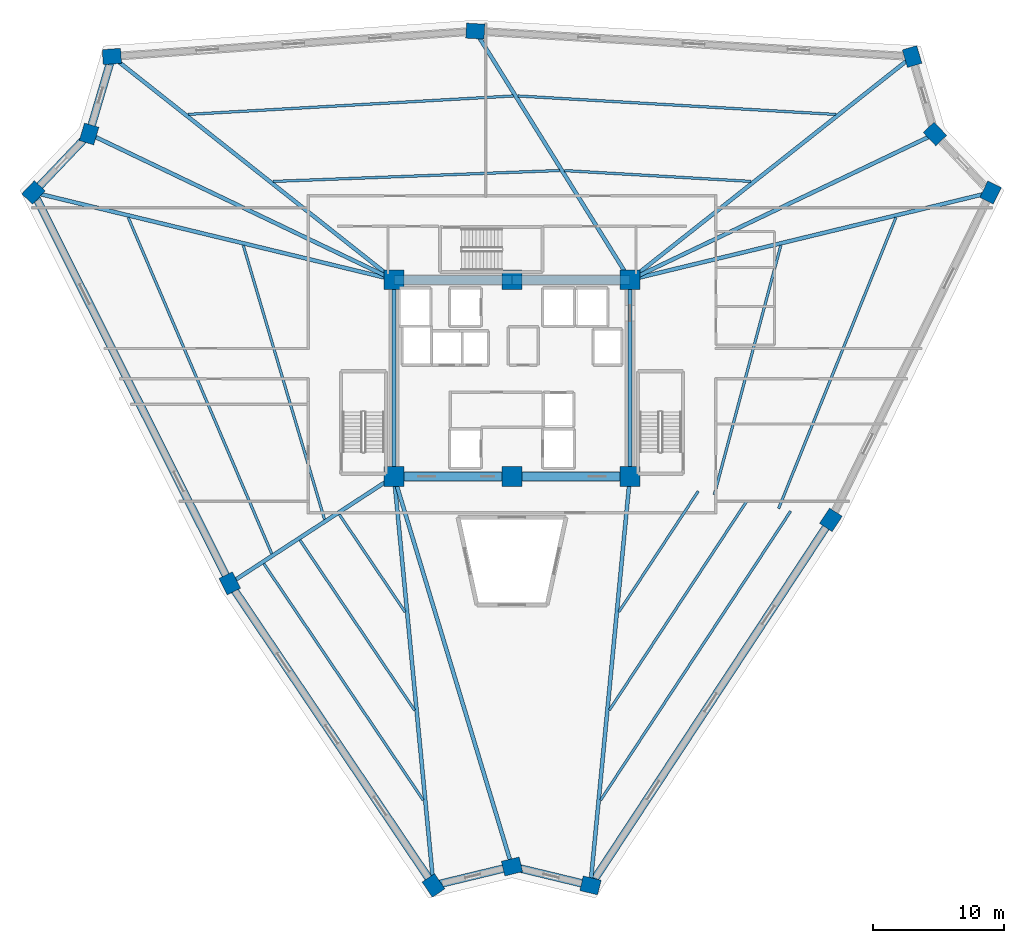
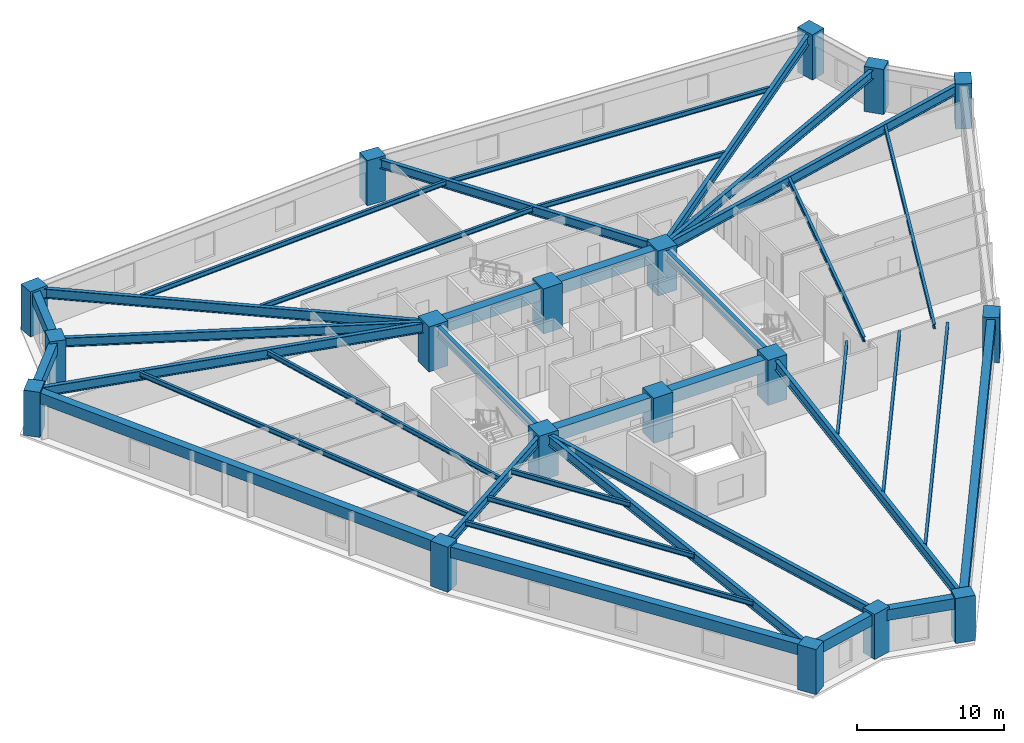
# One storey, part 1 of 7: 38 beams, 18 columns.
"""IFC4 building model written with IfcOpenShell, lengths in metres."""

from ifc_helpers import new_model, si_unit, direction, frame, origin, origin_2d, place, context, subcontext, project, spatial, rectangle, i_section, extrude, source, transform, mapped, material, material_profile, profile_set, type_object, element, save


model = new_model("IFC4")

# Units and contexts
model_context = context("Model", 3, precision=1e-05, world=origin(), true_north=direction((0.0, 1.0)))
body_context = subcontext(model_context, "Body", "Model", "MODEL_VIEW")
ifc_project = project(units=[si_unit("LENGTHUNIT", "METRE"), si_unit("AREAUNIT", "SQUARE_METRE"), si_unit("VOLUMEUNIT", "CUBIC_METRE"), si_unit("PLANEANGLEUNIT", "RADIAN"), si_unit("MASSUNIT", "GRAM", prefix="KILO")], contexts=[model_context])

# Site, building, storey
site_placement = place(None, origin())
site = spatial("IfcSite", under=ifc_project, at=site_placement, CompositionType="ELEMENT")
building_placement = place(site_placement, origin())
building = spatial("IfcBuilding", under=site, at=building_placement, Name="Liaohun Quay Tower", CompositionType="ELEMENT")
storey_placement = place(building_placement, frame((0.0, 0.0, 113.25)))
storey = spatial("IfcBuildingStorey", under=building, at=storey_placement, Name="L29", CompositionType="ELEMENT", Elevation=113.25)

# Columns
ifc_material_1 = material(Name="Concrete C60", Category="concrete")
ifc_material_profile_1 = material_profile(ifc_material_1, rectangle(XDim=1.5, YDim=1.5, at=origin_2d()), Name="RC1500x1500")
ifc_profile_set_1 = profile_set([ifc_material_profile_1], Name="Concrete C60")
column_type_1 = type_object("IfcColumnType", Name="COL-CC-Z2", PredefinedType="COLUMN", material=ifc_profile_set_1)
shared_shape_1 = source(origin(), body_context, "Body", "SweptSolid", [
    extrude(rectangle(XDim=1.5, YDim=1.5, at=origin_2d()), origin(), (0.0, 0.0, 1.0), 3.75),
])
for number, where, z_axis, x_axis, name in (
    (1, (51.0, 46.5, 0.0), (0.0, 0.0, 1.0), (1.0, 0.0, 0.0), "L29 Core Column CC1"),
    (2, (60.0, 46.5, 0.0), (0.0, 0.0, 1.0), (1.0, 0.0, 0.0), "L29 Core Column CC2"),
    (3, (69.0, 46.5, 0.0), (0.0, 0.0, 1.0), (1.0, 0.0, 0.0), "L29 Core Column CC3"),
    (4, (69.0, 61.5, 0.0), (0.0, 0.0, 1.0), (1.0, 0.0, 0.0), "L29 Core Column CC4"),
    (5, (60.0, 61.5, 0.0), (0.0, 0.0, 1.0), (1.0, 0.0, 0.0), "L29 Core Column CC5"),
    (6, (51.0, 61.5, 0.0), (0.0, 0.0, 1.0), (1.0, 0.0, 0.0), "L29 Core Column CC6"),
):
    element("IfcColumn", number, at=place(storey_placement, frame(where, z_axis=z_axis, x_axis=x_axis)), inside=storey, type_object=column_type_1, Name=name, PredefinedType="COLUMN", context=body_context, shape_type="MappedRepresentation", body=[
        mapped(shared_shape_1, transform((0.0, 0.0, 0.0), x_axis=(1.0, 0.0, 0.0), y_axis=(0.0, 1.0, 0.0), z_axis=(0.0, 0.0, 1.0), scale=1.0)),
    ])
ifc_material_profile_2 = material_profile(ifc_material_1, rectangle(XDim=1.39990234375, YDim=1.14990234375, at=origin_2d()), Name="RC1400x1150")
ifc_profile_set_2 = profile_set([ifc_material_profile_2], Name="Concrete C60")
column_type_2 = type_object("IfcColumnType", Name="COL-PIER-Z2", PredefinedType="COLUMN", material=ifc_profile_set_2)
shared_shape_2 = source(origin(), body_context, "Body", "SweptSolid", [
    extrude(rectangle(XDim=1.39990234375, YDim=1.14990234375, at=origin_2d()), origin(), (0.0, 0.0, 1.0), 3.75),
])
for number, where, z_axis, x_axis, name in (
    (7, (54.008056640625, 15.2919921875, 0.0), (0.0, 0.0, 1.0), (-0.559048200602, 0.829135157501, 0.0), "L29 Perimeter Pier PC01"),
    (8, (38.471923828125, 38.3369140625, 0.0), (0.0, 0.0, 1.0), (-0.448851168881, 0.893606528733, 0.0), "L29 Perimeter Pier PC02"),
    (9, (23.487060546875, 68.169921875, 0.0), (0.0, 0.0, 1.0), (0.68936671806, 0.724412539946, 0.0), "L29 Perimeter Pier PC03"),
    (10, (27.73095703125, 72.631103515625, 0.0), (0.0, 0.0, 1.0), (0.282676303383, 0.959215360337, 0.0), "L29 Perimeter Pier PC04"),
    (11, (29.472900390625, 78.54296875, 0.0), (0.0, 0.0, 1.0), (0.997576209867, 0.069582364911, 0.0), "L29 Perimeter Pier PC05"),
    (12, (57.198974609375, 80.47509765625, 0.0), (0.0, 0.0, 1.0), (-0.998311539311, 0.058086749598, 0.0), "L29 Perimeter Pier PC06"),
    (13, (90.529052734375, 78.535888671875, 0.0), (0.0, 0.0, 1.0), (-0.282676303383, 0.959215360337, 0.0), "L29 Perimeter Pier PC07"),
    (14, (92.26904296875, 72.631103515625, 0.0), (0.0, 0.0, 1.0), (-0.68936671806, 0.724412539946, 0.0), "L29 Perimeter Pier PC08"),
    (15, (96.51806640625, 68.1650390625, 0.0), (0.0, 0.0, 1.0), (0.438528009266, 0.898717522412, 0.0), "L29 Perimeter Pier PC09"),
    (16, (84.3291015625, 43.18798828125, 0.0), (0.0, 0.0, 1.0), (0.54946037043, 0.835519779135, 0.0), "L29 Perimeter Pier PC10"),
    (17, (65.985107421875, 15.2939453125, 0.0), (0.0, 0.0, 1.0), (-0.972083987461, 0.234633163303, 0.0), "L29 Perimeter Pier PC11"),
    (18, (60.0, 16.738037109375, 0.0), (0.0, 0.0, 1.0), (0.972083987461, 0.234633163303, 0.0), "L29 Perimeter Pier PC12"),
):
    element("IfcColumn", number, at=place(storey_placement, frame(where, z_axis=z_axis, x_axis=x_axis)), inside=storey, type_object=column_type_2, Name=name, PredefinedType="COLUMN", context=body_context, shape_type="MappedRepresentation", body=[
        mapped(shared_shape_2, transform((0.0, 0.0, 0.0), x_axis=(1.0, 0.0, 0.0), y_axis=(0.0, 1.0, 0.0), z_axis=(0.0, 0.0, 1.0), scale=1.0)),
    ])

# Beams
ifc_material_profile_3 = material_profile(ifc_material_1, rectangle(XDim=0.699951171875, YDim=1.050048828125, at=origin_2d()), Name="RC700x1050")
ifc_profile_set_3 = profile_set([ifc_material_profile_3], Name="Concrete C60")
beam_type_1 = type_object("IfcBeamType", Name="BM-CPL-1", PredefinedType="LINTEL", material=ifc_profile_set_3)
shared_shape_3 = source(origin(), body_context, "Body", "SweptSolid", [
    extrude(rectangle(XDim=0.699951171875, YDim=1.050048828125, at=origin_2d()), origin(), (0.0, 0.0, 1.0), 9.0),
])
for number, where, z_axis, x_axis, name in (
    (19, (51.0, 46.5, 3.044921875), (1.0, 0.0, 0.0), (0.0, 1.0, 0.0), "L29 Core Coupling/Ring Beam CC1-CC2"),
    (20, (60.0, 46.5, 3.044921875), (1.0, 0.0, 0.0), (0.0, 1.0, 0.0), "L29 Core Coupling/Ring Beam CC2-CC3"),
    (21, (69.0, 61.5, 3.044921875), (-1.0, 0.0, 0.0), (0.0, -1.0, 0.0), "L29 Core Coupling/Ring Beam CC4-CC5"),
    (22, (60.0, 61.5, 3.044921875), (-1.0, 0.0, 0.0), (0.0, -1.0, 0.0), "L29 Core Coupling/Ring Beam CC5-CC6"),
):
    element("IfcBeam", number, at=place(storey_placement, frame(where, z_axis=z_axis, x_axis=x_axis)), inside=storey, type_object=beam_type_1, Name=name, PredefinedType="LINTEL", context=body_context, shape_type="MappedRepresentation", body=[
        mapped(shared_shape_3, transform((0.0, 0.0, 0.0), x_axis=(1.0, 0.0, 0.0), y_axis=(0.0, 1.0, 0.0), z_axis=(0.0, 0.0, 1.0), scale=1.0)),
    ])
ifc_material_2 = material(Name="Steel Q355D", Category="steel")
ifc_material_profile_4 = material_profile(ifc_material_2, i_section(OverallWidth=0.300048828125, OverallDepth=0.800048828125, WebThickness=0.013916015625, FlangeThickness=0.02587890625, at=origin_2d()), Name="HN800x300x14x26")
ifc_profile_set_4 = profile_set([ifc_material_profile_4], Name="Steel Q355D")
beam_type_2 = type_object("IfcBeamType", Name="BM-RAD-M1", PredefinedType="BEAM", material=ifc_profile_set_4)
shared_shape_4 = source(origin(), body_context, "Body", "SweptSolid", [
    extrude(i_section(OverallWidth=0.300048828125, OverallDepth=0.800048828125, WebThickness=0.013916015625, FlangeThickness=0.02587890625, at=origin_2d()), origin(), (0.0, 0.0, 1.0), 15.0),
])
for number, where, z_axis, x_axis, name in (
    (23, (69.0, 46.5, 3.169921875), (0.0, 1.0, 0.0), (-1.0, 0.0, 0.0), "L29 Core Coupling/Ring Beam CC3-CC4"),
    (24, (51.0, 61.5, 3.169921875), (0.0, -1.0, 0.0), (1.0, 0.0, 0.0), "L29 Core Coupling/Ring Beam CC6-CC1"),
):
    element("IfcBeam", number, at=place(storey_placement, frame(where, z_axis=z_axis, x_axis=x_axis)), inside=storey, type_object=beam_type_2, Name=name, PredefinedType="BEAM", context=body_context, shape_type="MappedRepresentation", body=[
        mapped(shared_shape_4, transform((0.0, 0.0, 0.0), x_axis=(1.0, 0.0, 0.0), y_axis=(0.0, 1.0, 0.0), z_axis=(0.0, 0.0, 1.0), scale=1.0)),
    ])
shared_shape_5 = source(origin(), body_context, "Body", "SweptSolid", [
    extrude(i_section(OverallWidth=0.300048828125, OverallDepth=0.800048828125, WebThickness=0.013916015625, FlangeThickness=0.02587890625, at=origin_2d()), origin(), (0.0, 0.0, 1.0), 31.3525390625),
])
beam_1_placement = place(storey_placement, frame((51.0, 46.5, 3.169921875), z_axis=(0.095942684726, -0.995386860094, 0.0), x_axis=(0.995386860094, 0.095942684726, 0.0)))
element("IfcBeam", 25, at=beam_1_placement, inside=storey, type_object=beam_type_2, Name="L29 Radial Primary Girder CC1-PC01", PredefinedType="BEAM", context=body_context, shape_type="MappedRepresentation", body=[
    mapped(shared_shape_5, transform((0.0, 0.0, 0.0), x_axis=(1.0, 0.0, 0.0), y_axis=(0.0, 1.0, 0.0), z_axis=(0.0, 0.0, 1.0), scale=1.0)),
])
ifc_material_profile_5 = material_profile(ifc_material_2, i_section(OverallWidth=0.300048828125, OverallDepth=0.75, WebThickness=0.013916015625, FlangeThickness=0.02587890625, at=origin_2d()), Name="HN750x300x14x26")
ifc_profile_set_5 = profile_set([ifc_material_profile_5], Name="Steel Q355D")
beam_type_3 = type_object("IfcBeamType", Name="BM-RAD-M2", PredefinedType="BEAM", material=ifc_profile_set_5)
shared_shape_6 = source(origin(), body_context, "Body", "SweptSolid", [
    extrude(i_section(OverallWidth=0.300048828125, OverallDepth=0.75, WebThickness=0.013916015625, FlangeThickness=0.02587890625, at=origin_2d()), origin(), (0.0, 0.0, 1.0), 14.952880859375),
])
beam_2_placement = place(storey_placement, frame((51.0, 46.5, 3.195068359375), z_axis=(-0.837836920437, -0.545920593817, 0.0), x_axis=(0.545920593817, -0.837836920437, 0.0)))
element("IfcBeam", 26, at=beam_2_placement, inside=storey, type_object=beam_type_3, Name="L29 Radial Primary Girder CC1-PC02", PredefinedType="BEAM", context=body_context, shape_type="MappedRepresentation", body=[
    mapped(shared_shape_6, transform((0.0, 0.0, 0.0), x_axis=(1.0, 0.0, 0.0), y_axis=(0.0, 1.0, 0.0), z_axis=(0.0, 0.0, 1.0), scale=1.0)),
])
shared_shape_7 = source(origin(), body_context, "Body", "SweptSolid", [
    extrude(i_section(OverallWidth=0.300048828125, OverallDepth=0.800048828125, WebThickness=0.013916015625, FlangeThickness=0.02587890625, at=origin_2d()), origin(), (0.0, 0.0, 1.0), 28.309814453125),
])
beam_3_placement = place(storey_placement, frame((51.0, 61.5, 3.169921875), z_axis=(-0.971849148305, 0.235603974796, 0.0), x_axis=(-0.235603974796, -0.971849148305, 0.0)))
element("IfcBeam", 27, at=beam_3_placement, inside=storey, type_object=beam_type_2, Name="L29 Radial Primary Girder CC6-PC03", PredefinedType="BEAM", context=body_context, shape_type="MappedRepresentation", body=[
    mapped(shared_shape_7, transform((0.0, 0.0, 0.0), x_axis=(1.0, 0.0, 0.0), y_axis=(0.0, 1.0, 0.0), z_axis=(0.0, 0.0, 1.0), scale=1.0)),
])
shared_shape_8 = source(origin(), body_context, "Body", "SweptSolid", [
    extrude(i_section(OverallWidth=0.300048828125, OverallDepth=0.75, WebThickness=0.013916015625, FlangeThickness=0.02587890625, at=origin_2d()), origin(), (0.0, 0.0, 1.0), 25.79443359375),
])
for number, where, z_axis, x_axis, name in (
    (28, (51.0, 61.5, 3.195068359375), (-0.902097538332, 0.431532190381, 0.0), (-0.431532190381, -0.902097538332, 0.0), "L29 Radial Primary Girder CC6-PC04"),
    (29, (69.0, 61.5, 3.195068359375), (0.902097538332, 0.431532190381, 0.0), (-0.431532190381, 0.902097538332, 0.0), "L29 Radial Primary Girder CC4-PC08"),
):
    element("IfcBeam", number, at=place(storey_placement, frame(where, z_axis=z_axis, x_axis=x_axis)), inside=storey, type_object=beam_type_3, Name=name, PredefinedType="BEAM", context=body_context, shape_type="MappedRepresentation", body=[
        mapped(shared_shape_8, transform((0.0, 0.0, 0.0), x_axis=(1.0, 0.0, 0.0), y_axis=(0.0, 1.0, 0.0), z_axis=(0.0, 0.0, 1.0), scale=1.0)),
    ])
shared_shape_9 = source(origin(), body_context, "Body", "SweptSolid", [
    extrude(i_section(OverallWidth=0.300048828125, OverallDepth=0.800048828125, WebThickness=0.013916015625, FlangeThickness=0.02587890625, at=origin_2d()), origin(), (0.0, 0.0, 1.0), 27.456787109375),
])
beam_4_placement = place(storey_placement, frame((51.0, 61.5, 3.169921875), z_axis=(-0.784033744003, 0.620718203588, 0.0), x_axis=(-0.620718203588, -0.784033744003, 0.0)))
element("IfcBeam", 30, at=beam_4_placement, inside=storey, type_object=beam_type_2, Name="L29 Radial Primary Girder CC6-PC05", PredefinedType="BEAM", context=body_context, shape_type="MappedRepresentation", body=[
    mapped(shared_shape_9, transform((0.0, 0.0, 0.0), x_axis=(1.0, 0.0, 0.0), y_axis=(0.0, 1.0, 0.0), z_axis=(0.0, 0.0, 1.0), scale=1.0)),
])
shared_shape_10 = source(origin(), body_context, "Body", "SweptSolid", [
    extrude(i_section(OverallWidth=0.300048828125, OverallDepth=0.75, WebThickness=0.013916015625, FlangeThickness=0.02587890625, at=origin_2d()), origin(), (0.0, 0.0, 1.0), 22.345458984375),
])
beam_5_placement = place(storey_placement, frame((69.0, 61.5, 3.195068359375), z_axis=(-0.528117918078, 0.849171045553, 0.0), x_axis=(-0.849171045553, -0.528117918078, 0.0)))
element("IfcBeam", 31, at=beam_5_placement, inside=storey, type_object=beam_type_3, Name="L29 Radial Primary Girder CC4-PC06", PredefinedType="BEAM", context=body_context, shape_type="MappedRepresentation", body=[
    mapped(shared_shape_10, transform((0.0, 0.0, 0.0), x_axis=(1.0, 0.0, 0.0), y_axis=(0.0, 1.0, 0.0), z_axis=(0.0, 0.0, 1.0), scale=1.0)),
])
shared_shape_11 = source(origin(), body_context, "Body", "SweptSolid", [
    extrude(i_section(OverallWidth=0.300048828125, OverallDepth=0.800048828125, WebThickness=0.013916015625, FlangeThickness=0.02587890625, at=origin_2d()), origin(), (0.0, 0.0, 1.0), 27.4541015625),
])
beam_6_placement = place(storey_placement, frame((69.0, 61.5, 3.169921875), z_axis=(0.784186635718, 0.620525036047, 0.0), x_axis=(-0.620525036047, 0.784186635718, 0.0)))
element("IfcBeam", 32, at=beam_6_placement, inside=storey, type_object=beam_type_2, Name="L29 Radial Primary Girder CC4-PC07", PredefinedType="BEAM", context=body_context, shape_type="MappedRepresentation", body=[
    mapped(shared_shape_11, transform((0.0, 0.0, 0.0), x_axis=(1.0, 0.0, 0.0), y_axis=(0.0, 1.0, 0.0), z_axis=(0.0, 0.0, 1.0), scale=1.0)),
])
shared_shape_12 = source(origin(), body_context, "Body", "SweptSolid", [
    extrude(i_section(OverallWidth=0.300048828125, OverallDepth=0.800048828125, WebThickness=0.013916015625, FlangeThickness=0.02587890625, at=origin_2d()), origin(), (0.0, 0.0, 1.0), 28.313720703125),
])
beam_7_placement = place(storey_placement, frame((69.0, 61.5, 3.169921875), z_axis=(0.971898665288, 0.235399627042, 0.0), x_axis=(-0.235399627042, 0.971898665288, 0.0)))
element("IfcBeam", 33, at=beam_7_placement, inside=storey, type_object=beam_type_2, Name="L29 Radial Primary Girder CC4-PC09", PredefinedType="BEAM", context=body_context, shape_type="MappedRepresentation", body=[
    mapped(shared_shape_12, transform((0.0, 0.0, 0.0), x_axis=(1.0, 0.0, 0.0), y_axis=(0.0, 1.0, 0.0), z_axis=(0.0, 0.0, 1.0), scale=1.0)),
])
shared_shape_13 = source(origin(), body_context, "Body", "SweptSolid", [
    extrude(i_section(OverallWidth=0.300048828125, OverallDepth=0.800048828125, WebThickness=0.013916015625, FlangeThickness=0.02587890625, at=origin_2d()), origin(), (0.0, 0.0, 1.0), 31.351318359375),
])
beam_8_placement = place(storey_placement, frame((69.0, 46.5, 3.169921875), z_axis=(-0.096164667529, -0.995365438781, 0.0), x_axis=(0.995365438781, -0.096164667529, 0.0)))
element("IfcBeam", 34, at=beam_8_placement, inside=storey, type_object=beam_type_2, Name="L29 Radial Primary Girder CC3-PC11", PredefinedType="BEAM", context=body_context, shape_type="MappedRepresentation", body=[
    mapped(shared_shape_13, transform((0.0, 0.0, 0.0), x_axis=(1.0, 0.0, 0.0), y_axis=(0.0, 1.0, 0.0), z_axis=(0.0, 0.0, 1.0), scale=1.0)),
])
shared_shape_14 = source(origin(), body_context, "Body", "SweptSolid", [
    extrude(i_section(OverallWidth=0.300048828125, OverallDepth=0.75, WebThickness=0.013916015625, FlangeThickness=0.02587890625, at=origin_2d()), origin(), (0.0, 0.0, 1.0), 31.093017578125),
])
beam_9_placement = place(storey_placement, frame((51.0, 46.5, 3.195068359375), z_axis=(0.289454250012, -0.957191849709, 0.0), x_axis=(0.957191849709, 0.289454250012, 0.0)))
element("IfcBeam", 35, at=beam_9_placement, inside=storey, type_object=beam_type_3, Name="L29 Radial Primary Girder CC1-PC12", PredefinedType="BEAM", context=body_context, shape_type="MappedRepresentation", body=[
    mapped(shared_shape_14, transform((0.0, 0.0, 0.0), x_axis=(1.0, 0.0, 0.0), y_axis=(0.0, 1.0, 0.0), z_axis=(0.0, 0.0, 1.0), scale=1.0)),
])
ifc_material_profile_6 = material_profile(ifc_material_2, i_section(OverallWidth=0.199951171875, OverallDepth=0.39990234375, WebThickness=0.008056640625, FlangeThickness=0.012939453125, at=origin_2d()), Name="HN400x200x8x13")
ifc_profile_set_6 = profile_set([ifc_material_profile_6], Name="Steel Q355D")
beam_type_4 = type_object("IfcBeamType", Name="BM-SEC-J2", PredefinedType="JOIST", material=ifc_profile_set_6)
shared_shape_15 = source(origin(), body_context, "Body", "SweptSolid", [
    extrude(i_section(OverallWidth=0.199951171875, OverallDepth=0.39990234375, WebThickness=0.008056640625, FlangeThickness=0.012939453125, at=origin_2d()), origin(), (0.0, 0.0, 1.0), 8.9853515625),
])
beam_10_placement = place(storey_placement, frame((51.846923828125, 36.14990234375, 3.3701171875), z_axis=(-0.559019179897, 0.829154724106, 0.0), x_axis=(-0.829154724106, -0.559019179897, 0.0)))
element("IfcBeam", 36, at=beam_10_placement, inside=storey, type_object=beam_type_4, Name="L29 Wing Secondary Floor Joist SJ-01", PredefinedType="JOIST", context=body_context, shape_type="MappedRepresentation", body=[
    mapped(shared_shape_15, transform((0.0, 0.0, 0.0), x_axis=(1.0, 0.0, 0.0), y_axis=(0.0, 1.0, 0.0), z_axis=(0.0, 0.0, 1.0), scale=1.0)),
])
shared_shape_16 = source(origin(), body_context, "Body", "SweptSolid", [
    extrude(i_section(OverallWidth=0.199951171875, OverallDepth=0.39990234375, WebThickness=0.008056640625, FlangeThickness=0.012939453125, at=origin_2d()), origin(), (0.0, 0.0, 1.0), 15.6552734375),
])
beam_11_placement = place(storey_placement, frame((52.569091796875, 28.659912109375, 3.3701171875), z_axis=(-0.558975385376, 0.829184248852, 0.0), x_axis=(-0.829184248852, -0.558975385376, 0.0)))
element("IfcBeam", 37, at=beam_11_placement, inside=storey, type_object=beam_type_4, Name="L29 Wing Secondary Floor Joist SJ-02", PredefinedType="JOIST", context=body_context, shape_type="MappedRepresentation", body=[
    mapped(shared_shape_16, transform((0.0, 0.0, 0.0), x_axis=(1.0, 0.0, 0.0), y_axis=(0.0, 1.0, 0.0), z_axis=(0.0, 0.0, 1.0), scale=1.0)),
])
shared_shape_17 = source(origin(), body_context, "Body", "SweptSolid", [
    extrude(i_section(OverallWidth=0.199951171875, OverallDepth=0.39990234375, WebThickness=0.008056640625, FlangeThickness=0.012939453125, at=origin_2d()), origin(), (0.0, 0.0, 1.0), 21.770263671875),
])
beam_12_placement = place(storey_placement, frame((53.23095703125, 21.7939453125, 3.3701171875), z_axis=(-0.559014563977, 0.829157836158, 0.0), x_axis=(-0.829157836158, -0.559014563977, 0.0)))
element("IfcBeam", 38, at=beam_12_placement, inside=storey, type_object=beam_type_4, Name="L29 Wing Secondary Floor Joist SJ-03", PredefinedType="JOIST", context=body_context, shape_type="MappedRepresentation", body=[
    mapped(shared_shape_17, transform((0.0, 0.0, 0.0), x_axis=(1.0, 0.0, 0.0), y_axis=(0.0, 1.0, 0.0), z_axis=(0.0, 0.0, 1.0), scale=1.0)),
])
shared_shape_18 = source(origin(), body_context, "Body", "SweptSolid", [
    extrude(i_section(OverallWidth=0.199951171875, OverallDepth=0.39990234375, WebThickness=0.008056640625, FlangeThickness=0.012939453125, at=origin_2d()), origin(), (0.0, 0.0, 1.0), 21.812744140625),
])
beam_13_placement = place(storey_placement, frame((45.694091796875, 43.221923828125, 3.3701171875), z_axis=(-0.284245331726, 0.958751579604, 0.0), x_axis=(-0.958751579604, -0.284245331726, 0.0)))
element("IfcBeam", 39, at=beam_13_placement, inside=storey, type_object=beam_type_4, Name="L29 Wing Secondary Floor Joist SJ-04", PredefinedType="JOIST", context=body_context, shape_type="MappedRepresentation", body=[
    mapped(shared_shape_18, transform((0.0, 0.0, 0.0), x_axis=(1.0, 0.0, 0.0), y_axis=(0.0, 1.0, 0.0), z_axis=(0.0, 0.0, 1.0), scale=1.0)),
])
shared_shape_19 = source(origin(), body_context, "Body", "SweptSolid", [
    extrude(i_section(OverallWidth=0.199951171875, OverallDepth=0.39990234375, WebThickness=0.008056640625, FlangeThickness=0.012939453125, at=origin_2d()), origin(), (0.0, 0.0, 1.0), 27.905029296875),
])
beam_14_placement = place(storey_placement, frame((41.6689453125, 40.59912109375, 3.3701171875), z_axis=(-0.392575757789, 0.919719671637, 0.0), x_axis=(-0.919719671637, -0.392575757789, 0.0)))
element("IfcBeam", 40, at=beam_14_placement, inside=storey, type_object=beam_type_4, Name="L29 Wing Secondary Floor Joist SJ-05", PredefinedType="JOIST", context=body_context, shape_type="MappedRepresentation", body=[
    mapped(shared_shape_19, transform((0.0, 0.0, 0.0), x_axis=(1.0, 0.0, 0.0), y_axis=(0.0, 1.0, 0.0), z_axis=(0.0, 0.0, 1.0), scale=1.0)),
])
shared_shape_20 = source(origin(), body_context, "Body", "SweptSolid", [
    extrude(i_section(OverallWidth=0.199951171875, OverallDepth=0.39990234375, WebThickness=0.008056640625, FlangeThickness=0.012939453125, at=origin_2d()), origin(), (0.0, 0.0, 1.0), 21.891845703125),
])
beam_15_placement = place(storey_placement, frame((41.759033203125, 69.008056640625, 3.3701171875), z_axis=(0.999274098238, 0.038095624298, 0.0), x_axis=(-0.038095624298, 0.999274098238, 0.0)))
element("IfcBeam", 41, at=beam_15_placement, inside=storey, type_object=beam_type_4, Name="L29 Wing Secondary Floor Joist SJ-06", PredefinedType="JOIST", context=body_context, shape_type="MappedRepresentation", body=[
    mapped(shared_shape_20, transform((0.0, 0.0, 0.0), x_axis=(1.0, 0.0, 0.0), y_axis=(0.0, 1.0, 0.0), z_axis=(0.0, 0.0, 1.0), scale=1.0)),
])
shared_shape_21 = source(origin(), body_context, "Body", "SweptSolid", [
    extrude(i_section(OverallWidth=0.199951171875, OverallDepth=0.39990234375, WebThickness=0.008056640625, FlangeThickness=0.012939453125, at=origin_2d()), origin(), (0.0, 0.0, 1.0), 24.8408203125),
])
beam_16_placement = place(storey_placement, frame((35.2958984375, 74.125, 3.3701171875), z_axis=(0.99839468109, 0.056639745505, 0.0), x_axis=(-0.056639745505, 0.99839468109, 0.0)))
element("IfcBeam", 42, at=beam_16_placement, inside=storey, type_object=beam_type_4, Name="L29 Wing Secondary Floor Joist SJ-07", PredefinedType="JOIST", context=body_context, shape_type="MappedRepresentation", body=[
    mapped(shared_shape_21, transform((0.0, 0.0, 0.0), x_axis=(1.0, 0.0, 0.0), y_axis=(0.0, 1.0, 0.0), z_axis=(0.0, 0.0, 1.0), scale=1.0)),
])
shared_shape_22 = source(origin(), body_context, "Body", "SweptSolid", [
    extrude(i_section(OverallWidth=0.199951171875, OverallDepth=0.39990234375, WebThickness=0.008056640625, FlangeThickness=0.012939453125, at=origin_2d()), origin(), (0.0, 0.0, 1.0), 14.28125),
])
beam_17_placement = place(storey_placement, frame((63.990966796875, 69.837890625, 3.3701171875), z_axis=(0.998314342648, -0.058038549811, 0.0), x_axis=(0.058038549811, 0.998314342648, 0.0)))
element("IfcBeam", 43, at=beam_17_placement, inside=storey, type_object=beam_type_4, Name="L29 Wing Secondary Floor Joist SJ-08", PredefinedType="JOIST", context=body_context, shape_type="MappedRepresentation", body=[
    mapped(shared_shape_22, transform((0.0, 0.0, 0.0), x_axis=(1.0, 0.0, 0.0), y_axis=(0.0, 1.0, 0.0), z_axis=(0.0, 0.0, 1.0), scale=1.0)),
])
shared_shape_23 = source(origin(), body_context, "Body", "SweptSolid", [
    extrude(i_section(OverallWidth=0.199951171875, OverallDepth=0.39990234375, WebThickness=0.008056640625, FlangeThickness=0.012939453125, at=origin_2d()), origin(), (0.0, 0.0, 1.0), 24.296142578125),
])
beam_18_placement = place(storey_placement, frame((60.450927734375, 75.531005859375, 3.3701171875), z_axis=(0.998312483643, -0.058070517499, 0.0), x_axis=(0.058070517499, 0.998312483643, 0.0)))
element("IfcBeam", 44, at=beam_18_placement, inside=storey, type_object=beam_type_4, Name="L29 Wing Secondary Floor Joist SJ-09", PredefinedType="JOIST", context=body_context, shape_type="MappedRepresentation", body=[
    mapped(shared_shape_23, transform((0.0, 0.0, 0.0), x_axis=(1.0, 0.0, 0.0), y_axis=(0.0, 1.0, 0.0), z_axis=(0.0, 0.0, 1.0), scale=1.0)),
])
shared_shape_24 = source(origin(), body_context, "Body", "SweptSolid", [
    extrude(i_section(OverallWidth=0.199951171875, OverallDepth=0.39990234375, WebThickness=0.008056640625, FlangeThickness=0.012939453125, at=origin_2d()), origin(), (0.0, 0.0, 1.0), 19.690673828125),
])
beam_19_placement = place(storey_placement, frame((80.513916015625, 64.134033203125, 3.3701171875), z_axis=(-0.2577838071, -0.966202623054, 0.0), x_axis=(0.966202623054, -0.2577838071, 0.0)))
element("IfcBeam", 45, at=beam_19_placement, inside=storey, type_object=beam_type_4, Name="L29 Wing Secondary Floor Joist SJ-10", PredefinedType="JOIST", context=body_context, shape_type="MappedRepresentation", body=[
    mapped(shared_shape_24, transform((0.0, 0.0, 0.0), x_axis=(1.0, 0.0, 0.0), y_axis=(0.0, 1.0, 0.0), z_axis=(0.0, 0.0, 1.0), scale=1.0)),
])
shared_shape_25 = source(origin(), body_context, "Body", "SweptSolid", [
    extrude(i_section(OverallWidth=0.199951171875, OverallDepth=0.39990234375, WebThickness=0.008056640625, FlangeThickness=0.012939453125, at=origin_2d()), origin(), (0.0, 0.0, 1.0), 23.947509765625),
])
beam_20_placement = place(storey_placement, frame((89.2939453125, 66.260986328125, 3.3701171875), z_axis=(-0.373771165641, -0.927520951642, 0.0), x_axis=(0.927520951642, -0.373771165641, 0.0)))
element("IfcBeam", 46, at=beam_20_placement, inside=storey, type_object=beam_type_4, Name="L29 Wing Secondary Floor Joist SJ-11", PredefinedType="JOIST", context=body_context, shape_type="MappedRepresentation", body=[
    mapped(shared_shape_25, transform((0.0, 0.0, 0.0), x_axis=(1.0, 0.0, 0.0), y_axis=(0.0, 1.0, 0.0), z_axis=(0.0, 0.0, 1.0), scale=1.0)),
])
shared_shape_26 = source(origin(), body_context, "Body", "SweptSolid", [
    extrude(i_section(OverallWidth=0.199951171875, OverallDepth=0.39990234375, WebThickness=0.008056640625, FlangeThickness=0.012939453125, at=origin_2d()), origin(), (0.0, 0.0, 1.0), 11.029052734375),
])
beam_21_placement = place(storey_placement, frame((74.2119140625, 45.3740234375, 3.3701171875), z_axis=(-0.549442887794, -0.835531275927, 0.0), x_axis=(0.835531275927, -0.549442887794, 0.0)))
element("IfcBeam", 47, at=beam_21_placement, inside=storey, type_object=beam_type_4, Name="L29 Wing Secondary Floor Joist SJ-12", PredefinedType="JOIST", context=body_context, shape_type="MappedRepresentation", body=[
    mapped(shared_shape_26, transform((0.0, 0.0, 0.0), x_axis=(1.0, 0.0, 0.0), y_axis=(0.0, 1.0, 0.0), z_axis=(0.0, 0.0, 1.0), scale=1.0)),
])
shared_shape_27 = source(origin(), body_context, "Body", "SweptSolid", [
    extrude(i_section(OverallWidth=0.199951171875, OverallDepth=0.39990234375, WebThickness=0.008056640625, FlangeThickness=0.012939453125, at=origin_2d()), origin(), (0.0, 0.0, 1.0), 19.042236328125),
])
beam_22_placement = place(storey_placement, frame((77.89111328125, 44.5791015625, 3.3701171875), z_axis=(-0.549467202132, -0.835515286384, 0.0), x_axis=(0.835515286384, -0.549467202132, 0.0)))
element("IfcBeam", 48, at=beam_22_placement, inside=storey, type_object=beam_type_4, Name="L29 Wing Secondary Floor Joist SJ-13", PredefinedType="JOIST", context=body_context, shape_type="MappedRepresentation", body=[
    mapped(shared_shape_27, transform((0.0, 0.0, 0.0), x_axis=(1.0, 0.0, 0.0), y_axis=(0.0, 1.0, 0.0), z_axis=(0.0, 0.0, 1.0), scale=1.0)),
])
shared_shape_28 = source(origin(), body_context, "Body", "SweptSolid", [
    extrude(i_section(OverallWidth=0.199951171875, OverallDepth=0.39990234375, WebThickness=0.008056640625, FlangeThickness=0.012939453125, at=origin_2d()), origin(), (0.0, 0.0, 1.0), 26.385986328125),
])
beam_23_placement = place(storey_placement, frame((81.262939453125, 43.85009765625, 3.3701171875), z_axis=(-0.549457940297, -0.835521377252, 0.0), x_axis=(0.835521377252, -0.549457940297, 0.0)))
element("IfcBeam", 49, at=beam_23_placement, inside=storey, type_object=beam_type_4, Name="L29 Wing Secondary Floor Joist SJ-14", PredefinedType="JOIST", context=body_context, shape_type="MappedRepresentation", body=[
    mapped(shared_shape_28, transform((0.0, 0.0, 0.0), x_axis=(1.0, 0.0, 0.0), y_axis=(0.0, 1.0, 0.0), z_axis=(0.0, 0.0, 1.0), scale=1.0)),
])
ifc_material_3 = material(Name="Precast concrete C55", Category="concrete")
ifc_material_profile_7 = material_profile(ifc_material_3, rectangle(XDim=0.60009765625, YDim=0.89990234375, at=origin_2d()), Name="RC600x900")
ifc_profile_set_7 = profile_set([ifc_material_profile_7], Name="Precast concrete C55")
beam_type_5 = type_object("IfcBeamType", Name="BM-SPD-Z2", PredefinedType="SPANDREL", material=ifc_profile_set_7)
shared_shape_29 = source(origin(), body_context, "Body", "SweptSolid", [
    extrude(rectangle(XDim=0.60009765625, YDim=0.89990234375, at=origin_2d()), origin(), (0.0, 0.0, 1.0), 27.792724609375),
])
beam_24_placement = place(storey_placement, frame((54.008056640625, 15.2919921875, 3.1201171875), z_axis=(-0.558998433208, 0.829168711223, 0.0), x_axis=(-0.829168711223, -0.558998433208, 0.0)))
element("IfcBeam", 50, at=beam_24_placement, inside=storey, type_object=beam_type_5, Name="L29 Precast Spandrel Beam PC01-PC02", PredefinedType="SPANDREL", context=body_context, shape_type="MappedRepresentation", body=[
    mapped(shared_shape_29, transform((0.0, 0.0, 0.0), x_axis=(1.0, 0.0, 0.0), y_axis=(0.0, 1.0, 0.0), z_axis=(0.0, 0.0, 1.0), scale=1.0)),
])
shared_shape_30 = source(origin(), body_context, "Body", "SweptSolid", [
    extrude(rectangle(XDim=0.60009765625, YDim=0.89990234375, at=origin_2d()), origin(), (0.0, 0.0, 1.0), 33.385009765625),
])
beam_25_placement = place(storey_placement, frame((38.471923828125, 38.3369140625, 3.1201171875), z_axis=(-0.448850934201, 0.893606646611, 0.0), x_axis=(-0.893606646611, -0.448850934201, 0.0)))
element("IfcBeam", 51, at=beam_25_placement, inside=storey, type_object=beam_type_5, Name="L29 Precast Spandrel Beam PC02-PC03", PredefinedType="SPANDREL", context=body_context, shape_type="MappedRepresentation", body=[
    mapped(shared_shape_30, transform((0.0, 0.0, 0.0), x_axis=(1.0, 0.0, 0.0), y_axis=(0.0, 1.0, 0.0), z_axis=(0.0, 0.0, 1.0), scale=1.0)),
])
shared_shape_31 = source(origin(), body_context, "Body", "SweptSolid", [
    extrude(rectangle(XDim=0.60009765625, YDim=0.89990234375, at=origin_2d()), origin(), (0.0, 0.0, 1.0), 6.1572265625),
])
beam_26_placement = place(storey_placement, frame((23.487060546875, 68.169921875, 3.1201171875), z_axis=(0.68924219683, 0.724531016664, 0.0), x_axis=(-0.724531016664, 0.68924219683, 0.0)))
element("IfcBeam", 52, at=beam_26_placement, inside=storey, type_object=beam_type_5, Name="L29 Precast Spandrel Beam PC03-PC04", PredefinedType="SPANDREL", context=body_context, shape_type="MappedRepresentation", body=[
    mapped(shared_shape_31, transform((0.0, 0.0, 0.0), x_axis=(1.0, 0.0, 0.0), y_axis=(0.0, 1.0, 0.0), z_axis=(0.0, 0.0, 1.0), scale=1.0)),
])
shared_shape_32 = source(origin(), body_context, "Body", "SweptSolid", [
    extrude(rectangle(XDim=0.60009765625, YDim=0.89990234375, at=origin_2d()), origin(), (0.0, 0.0, 1.0), 6.1630859375),
])
beam_27_placement = place(storey_placement, frame((27.73095703125, 72.631103515625, 3.1201171875), z_axis=(0.282638112425, 0.959226614208, 0.0), x_axis=(-0.959226614208, 0.282638112425, 0.0)))
element("IfcBeam", 53, at=beam_27_placement, inside=storey, type_object=beam_type_5, Name="L29 Precast Spandrel Beam PC04-PC05", PredefinedType="SPANDREL", context=body_context, shape_type="MappedRepresentation", body=[
    mapped(shared_shape_32, transform((0.0, 0.0, 0.0), x_axis=(1.0, 0.0, 0.0), y_axis=(0.0, 1.0, 0.0), z_axis=(0.0, 0.0, 1.0), scale=1.0)),
])
shared_shape_33 = source(origin(), body_context, "Body", "SweptSolid", [
    extrude(rectangle(XDim=0.60009765625, YDim=0.89990234375, at=origin_2d()), origin(), (0.0, 0.0, 1.0), 33.38525390625),
])
beam_28_placement = place(storey_placement, frame((84.3291015625, 43.18798828125, 3.1201171875), z_axis=(-0.549462841811, -0.835518153883, 0.0), x_axis=(0.835518153883, -0.549462841811, 0.0)))
element("IfcBeam", 54, at=beam_28_placement, inside=storey, type_object=beam_type_5, Name="L29 Precast Spandrel Beam PC10-PC11", PredefinedType="SPANDREL", context=body_context, shape_type="MappedRepresentation", body=[
    mapped(shared_shape_33, transform((0.0, 0.0, 0.0), x_axis=(1.0, 0.0, 0.0), y_axis=(0.0, 1.0, 0.0), z_axis=(0.0, 0.0, 1.0), scale=1.0)),
])
shared_shape_34 = source(origin(), body_context, "Body", "SweptSolid", [
    extrude(rectangle(XDim=0.60009765625, YDim=0.89990234375, at=origin_2d()), origin(), (0.0, 0.0, 1.0), 6.15673828125),
])
beam_29_placement = place(storey_placement, frame((65.985107421875, 15.2939453125, 3.1201171875), z_axis=(-0.972104036034, 0.234550086606, 0.0), x_axis=(-0.234550086606, -0.972104036034, 0.0)))
element("IfcBeam", 55, at=beam_29_placement, inside=storey, type_object=beam_type_5, Name="L29 Precast Spandrel Beam PC11-PC12", PredefinedType="SPANDREL", context=body_context, shape_type="MappedRepresentation", body=[
    mapped(shared_shape_34, transform((0.0, 0.0, 0.0), x_axis=(1.0, 0.0, 0.0), y_axis=(0.0, 1.0, 0.0), z_axis=(0.0, 0.0, 1.0), scale=1.0)),
])
shared_shape_35 = source(origin(), body_context, "Body", "SweptSolid", [
    extrude(rectangle(XDim=0.60009765625, YDim=0.89990234375, at=origin_2d()), origin(), (0.0, 0.0, 1.0), 6.1640625),
])
beam_30_placement = place(storey_placement, frame((60.0, 16.738037109375, 3.1201171875), z_axis=(-0.972092799316, -0.234596652828, 0.0), x_axis=(0.234596652828, -0.972092799316, 0.0)))
element("IfcBeam", 56, at=beam_30_placement, inside=storey, type_object=beam_type_5, Name="L29 Precast Spandrel Beam PC12-PC01", PredefinedType="SPANDREL", context=body_context, shape_type="MappedRepresentation", body=[
    mapped(shared_shape_35, transform((0.0, 0.0, 0.0), x_axis=(1.0, 0.0, 0.0), y_axis=(0.0, 1.0, 0.0), z_axis=(0.0, 0.0, 1.0), scale=1.0)),
])

save(model, "model.ifc")
